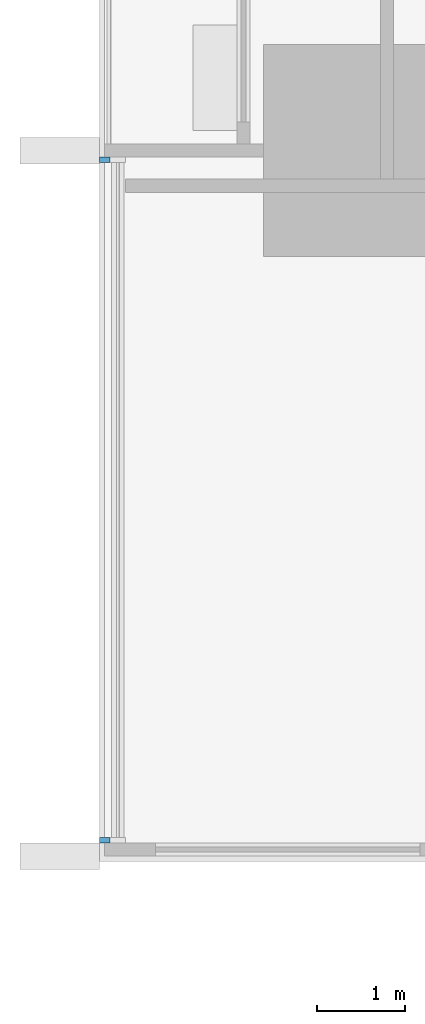
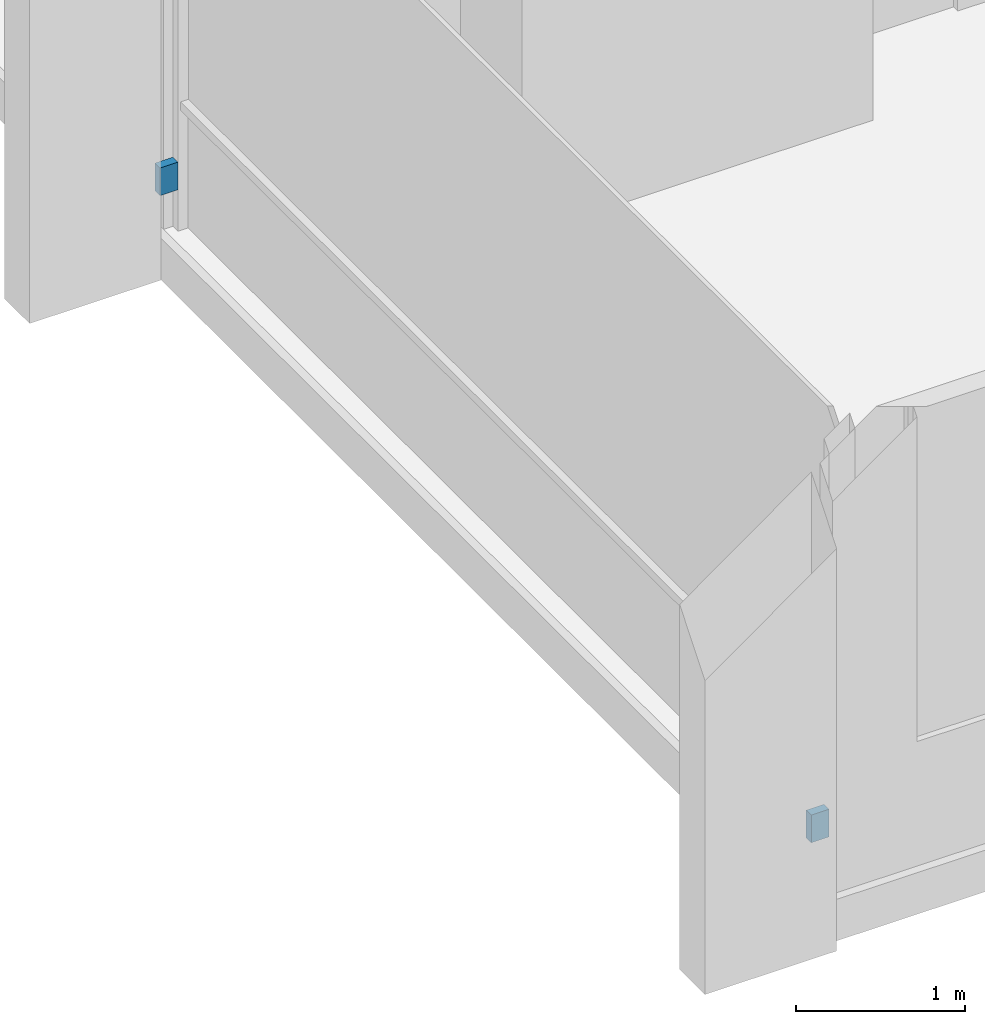
# One storey, part 13 of 17: 2 discrete accessories.
"""IFC4 building model written with IfcOpenShell, lengths in metres."""

from ifc_helpers import new_model, si_unit, direction, frame, origin, origin_2d, place, context, subcontext, project, spatial, rectangle, extrude, material, type_object, element, save


model = new_model("IFC4")

# Units and contexts
model_context = context("Model", 3, precision=1e-05, world=origin(), true_north=direction((0.0, 1.0)))
body_context = subcontext(model_context, "Body", "Model", "MODEL_VIEW")
ifc_project = project(units=[si_unit("LENGTHUNIT", "METRE"), si_unit("AREAUNIT", "SQUARE_METRE"), si_unit("VOLUMEUNIT", "CUBIC_METRE"), si_unit("PLANEANGLEUNIT", "RADIAN"), si_unit("MASSUNIT", "GRAM", prefix="KILO")], contexts=[model_context])

# Site, building, storey
site_placement = place(None, origin())
site = spatial("IfcSite", under=ifc_project, at=site_placement, CompositionType="ELEMENT")
building_placement = place(site_placement, origin())
building = spatial("IfcBuilding", under=site, at=building_placement, Name="Finial Court Residences", CompositionType="ELEMENT")
storey_placement = place(building_placement, frame((0.0, 0.0, 174.5)))
storey = spatial("IfcBuildingStorey", under=building, at=storey_placement, Name="L43", CompositionType="ELEMENT", Elevation=174.5)

# Discrete accessories
ifc_material = material(Name="Stainless steel 316", Category="steel")
discrete_accessory_type = type_object("IfcDiscreteAccessoryType", Name="Fin bracket, stainless steel 60 x 122 x 200", PredefinedType="BRACKET", material=ifc_material)
for number, where, z_axis, x_axis, name in (
    (1, (-19.498779296875, -21.320068359375, 0.2998046875), (0.0, 0.0, 1.0), (1.0, 0.0, 0.0), "E-L43-FIN-W22-BRK"),
    (2, (-19.498779296875, -13.60498046875, 0.2998046875), (0.0, 0.0, 1.0), (1.0, 0.0, 0.0), "E-L43-FIN-W23-BRK"),
):
    element("IfcDiscreteAccessory", number, at=place(storey_placement, frame(where, z_axis=z_axis, x_axis=x_axis)), inside=storey, type_object=discrete_accessory_type, Name=name, PredefinedType="BRACKET", context=body_context, shape_type="SweptSolid", body=[
        extrude(rectangle(XDim=0.12255859375, YDim=0.06005859375, at=origin_2d()), origin(), (0.0, 0.0, 1.0), 0.199951171875),
    ])

save(model, "model.ifc")
